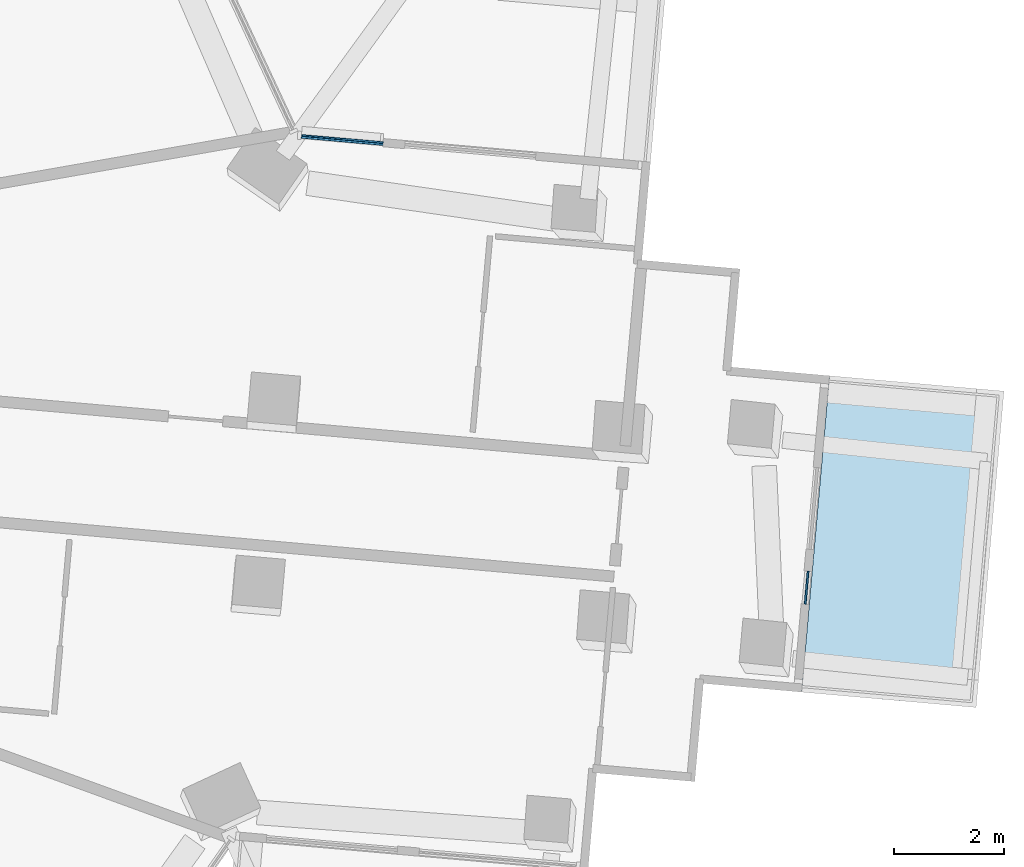
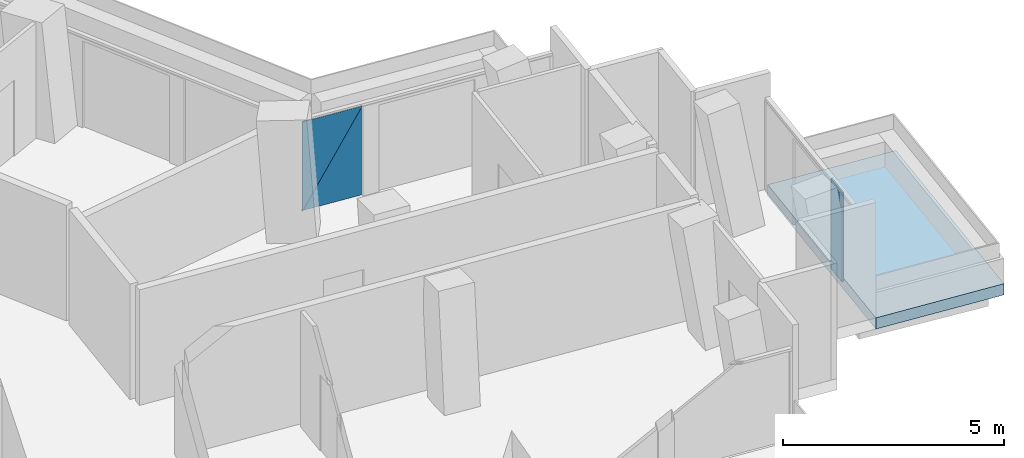
# One storey, part 12 of 23: 3 plates, 1 slab, 2 elements without a shape of their own.
"""IFC4 building model written with IfcOpenShell, lengths in metres."""

from ifc_helpers import new_model, si_unit, direction, frame, origin, origin_2d, place, context, subcontext, project, spatial, polyline, rectangle, outline, extrude, material, layer, layer_set, type_object, element, aggregate, save


model = new_model("IFC4")

# Units and contexts
model_context = context("Model", 3, precision=1e-05, world=origin(), true_north=direction((0.0, 1.0)))
body_context = subcontext(model_context, "Body", "Model", "MODEL_VIEW")
ifc_project = project(units=[si_unit("LENGTHUNIT", "METRE"), si_unit("AREAUNIT", "SQUARE_METRE"), si_unit("VOLUMEUNIT", "CUBIC_METRE"), si_unit("PLANEANGLEUNIT", "RADIAN"), si_unit("MASSUNIT", "GRAM", prefix="KILO")], contexts=[model_context])

# Site, building, storey
site_placement = place(None, origin())
site = spatial("IfcSite", under=ifc_project, at=site_placement, CompositionType="ELEMENT")
building_placement = place(site_placement, origin())
building = spatial("IfcBuilding", under=site, at=building_placement, Name="Verdalira Terraces Hotel", CompositionType="ELEMENT")
storey_placement = place(building_placement, frame((0.0, 0.0, 136.5)))
storey = spatial("IfcBuildingStorey", under=building, at=storey_placement, Name="L32", CompositionType="ELEMENT", Elevation=136.5)

# Slab
ifc_material_1 = material(Name="Precast concrete C40/50", Category="concrete")
ifc_layer_1 = layer(ifc_material_1, 0.31005859375)
ifc_layer_set_1 = layer_set([ifc_layer_1], Name="Balcony deck 310")
slab_type = type_object("IfcSlabType", Name="Balcony deck 310", PredefinedType="FLOOR", material=ifc_layer_set_1)
slab_placement = place(storey_placement, frame((0.0, 0.0, -0.310059)))
element("IfcSlab", 1, at=slab_placement, inside=storey, type_object=slab_type, Name="Balcony deck", PredefinedType="FLOOR", context=body_context, shape_type="SweptSolid", body=[
    extrude(outline(polyline([(37.631592, -0.407471), (34.443848, -0.126465), (33.934326, -5.904053), (37.12207, -6.185059), (37.631592, -0.407471)])), origin(), (0.0, 0.0, 1.0), 0.310059),
])

# Curtain wall, plates
ifc_material_2 = material(Name="Clear glass", Category="glass")
ifc_layer_2 = layer(ifc_material_2, 0.14990234375)
ifc_layer_set_2 = layer_set([ifc_layer_2], Name="CW2 curtain wall")
curtain_wall_type_1 = type_object("IfcCurtainWallType", Name="CW2 curtain wall", PredefinedType="NOTDEFINED", material=ifc_layer_set_2)
curtain_wall_1_placement = place(storey_placement, origin())
curtain_wall_1 = element("IfcCurtainWall", 2, at=curtain_wall_1_placement, inside=storey, type_object=curtain_wall_type_1, Name="CW2 curtain wall L32 edge 38", PredefinedType="NOTDEFINED")
ifc_material_3 = material(Name="Clear glass", Category="glass")
ifc_layer_3 = layer(ifc_material_3, 0.031982421875)
ifc_layer_set_3 = layer_set([ifc_layer_3], Name="CW2 glass unit 32")
plate_type_1 = type_object("IfcPlateType", Name="CW2 glass unit 32", PredefinedType="CURTAIN_PANEL", material=ifc_layer_set_3)
plate_1_placement = place(storey_placement, frame((25.542725, 4.181152, 1.237549), z_axis=(0.087851197, 0.996133609, 0.0), x_axis=(-0.996133609, 0.087851197, 0.0)))
plate_1 = element("IfcPlate", 3, at=plate_1_placement, type_object=plate_type_1, Name="CW2 glass unit", PredefinedType="CURTAIN_PANEL", context=body_context, shape_type="SweptSolid", body=[
    extrude(outline(polyline([(-0.748535, -1.237549), (0.748535, -1.237549), (-0.748535, 1.237549), (-0.748535, -1.237549)])), origin(), (0.0, 0.0, 1.0), 0.031982),
])
plate_2_placement = place(storey_placement, frame((25.539795, 4.148193, 1.237549), z_axis=(0.087851197, 0.996133609, 0.0), x_axis=(-0.996133609, 0.087851197, 0.0)))
plate_2 = element("IfcPlate", 4, at=plate_2_placement, type_object=plate_type_1, Name="CW2 glass unit", PredefinedType="CURTAIN_PANEL", context=body_context, shape_type="SweptSolid", body=[
    extrude(outline(polyline([(0.748535, -1.237549), (0.748535, 1.237549), (-0.748535, 1.237549), (0.748535, -1.237549)])), origin(), (0.0, 0.0, 1.0), 0.031982),
])
aggregate(curtain_wall_1, [plate_1, plate_2])

# Curtain wall, plate
ifc_material_4 = material(Name="Clear glass", Category="glass")
ifc_layer_4 = layer(ifc_material_4, 0.14990234375)
ifc_layer_set_4 = layer_set([ifc_layer_4], Name="CW3 curtain wall")
curtain_wall_type_2 = type_object("IfcCurtainWallType", Name="CW3 curtain wall", PredefinedType="NOTDEFINED", material=ifc_layer_set_4)
curtain_wall_2_placement = place(storey_placement, origin())
curtain_wall_2 = element("IfcCurtainWall", 5, at=curtain_wall_2_placement, inside=storey, type_object=curtain_wall_type_2, Name="CW3 curtain wall L32 edge 33", PredefinedType="NOTDEFINED")
ifc_material_5 = material(Name="Clear glass", Category="glass")
ifc_layer_5 = layer(ifc_material_5, 0.035888671875)
ifc_layer_set_5 = layer_set([ifc_layer_5], Name="CW3 glass unit 36")
plate_type_2 = type_object("IfcPlateType", Name="CW3 glass unit 36", PredefinedType="CURTAIN_PANEL", material=ifc_layer_set_5)
plate_3_placement = place(storey_placement, frame((34.027344, -3.99585, 0.0), z_axis=(0.0, 0.0, 1.0), x_axis=(0.087851197, 0.996133609, 0.0)))
plate_3 = element("IfcPlate", 6, at=plate_3_placement, type_object=plate_type_2, Name="CW3 glass unit", PredefinedType="CURTAIN_PANEL", context=body_context, shape_type="SweptSolid", body=[
    extrude(rectangle(XDim=0.601807, YDim=0.035889, at=origin_2d()), origin(), (0.0, 0.0, 1.0), 2.475098),
])
aggregate(curtain_wall_2, [plate_3])

save(model, "model.ifc")
